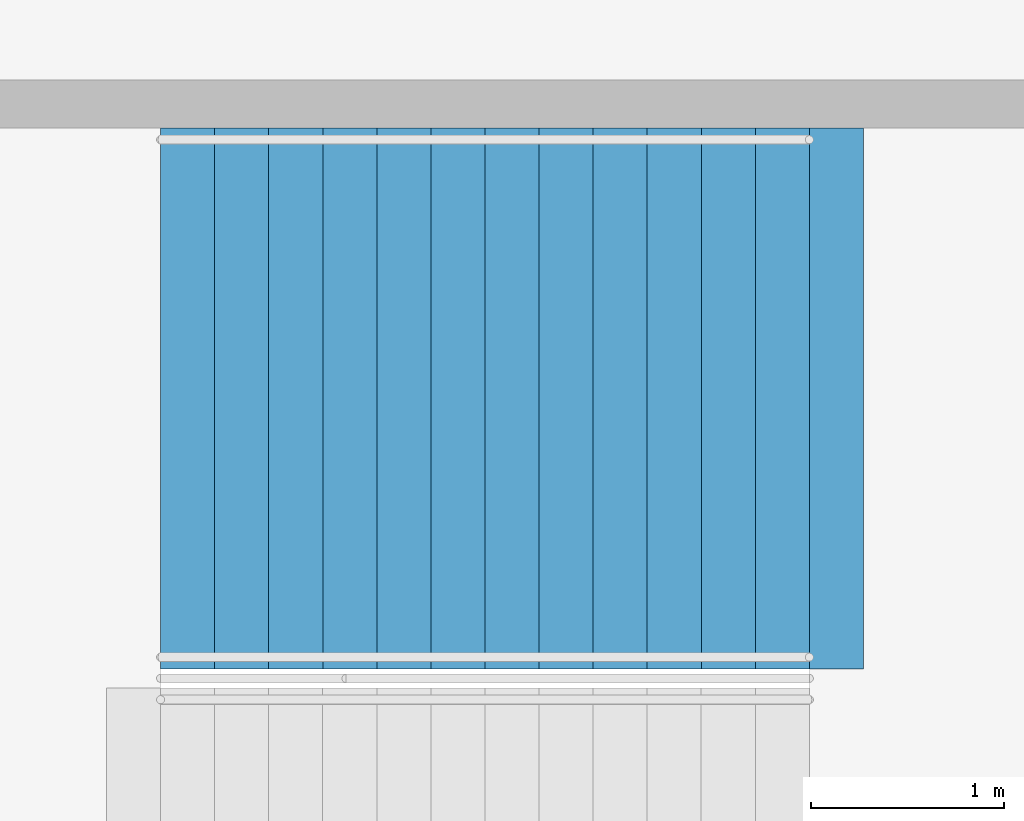
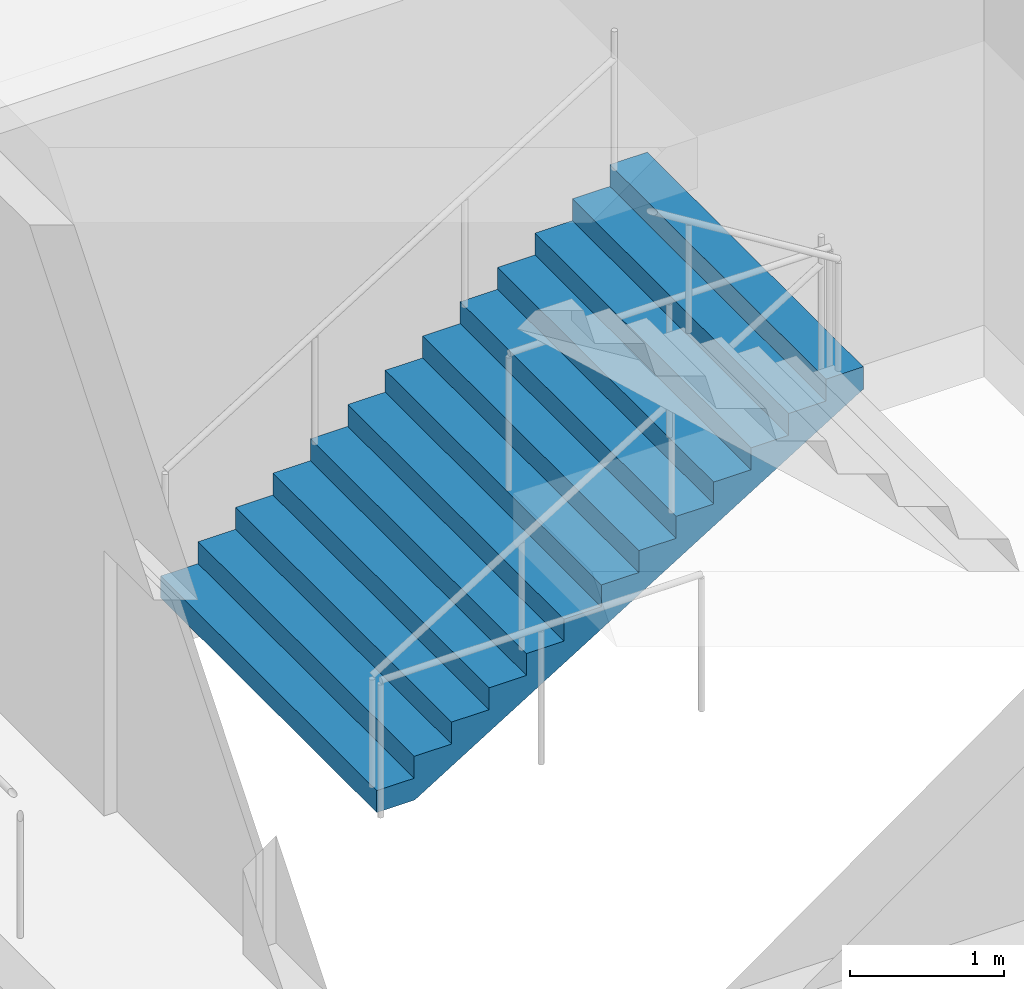
# One storey, part 126 of 177: 1 stair flight, 1 element without a shape of its own.
"""IFC4 building model written with IfcOpenShell, lengths in metres."""

import ifcopenshell
import ifcopenshell.guid

model = None  # the IFC model being written
_history = None  # IfcOwnerHistory: only IFC2X3 demands one
_inside = {}  # id of a spatial element -> (the spatial element, [elements in it])
_under = {}  # id of a project, library or spatial element -> (it, [spatial elements below it])
_declared = {}  # id of a project -> (the project, [libraries it declares])
_typed = {}  # id of a type object -> (the type object, [elements of that type])
_made_of = {}  # id of a material, layer set ... -> (it, [elements and type objects made of it])


def new_model(schema):
    """Start an empty IFC model of exactly this schema.

    Asked for "IFC4X3", IfcOpenShell would pick the latest addendum, in which some entities
    have other attributes; the version numbers below select the first issue.
    IFC2X3 requires an IfcOwnerHistory on every rooted entity: one is made here for all.
    """
    global model, _history
    if schema == "IFC4X3":
        model = ifcopenshell.file(schema_version=(4, 3, 0, 0))
    else:
        model = ifcopenshell.file(schema=schema)
    _inside.clear()
    _under.clear()
    _declared.clear()
    _typed.clear()
    _made_of.clear()
    _history = None
    if model.schema == "IFC2X3":
        org = make("IfcOrganization", Name="unknown")
        user = make(
            "IfcPersonAndOrganization",
            ThePerson=make("IfcPerson", FamilyName="unknown"),
            TheOrganization=org,
        )
        app = make(
            "IfcApplication",
            ApplicationDeveloper=org,
            Version="unknown",
            ApplicationFullName="unknown",
            ApplicationIdentifier="unknown",
        )
        _history = make(
            "IfcOwnerHistory",
            OwningUser=user,
            OwningApplication=app,
            ChangeAction="ADDED",
            CreationDate=0,
        )
    return model


def make(cls, **values):
    """One entity of the class cls with the attributes given. An attribute that is None is left unset."""
    return model.create_entity(
        cls, **{name: value for name, value in values.items() if value is not None}
    )


def rooted(cls, **values):
    """An entity with a GlobalId (a new one), such as an element, a storey or a relation."""
    return make(cls, GlobalId=ifcopenshell.guid.new(), OwnerHistory=_history, **values)


def si_unit(unit_type, name, prefix=None):
    """IfcSIUnit, for example si_unit("LENGTHUNIT", "METRE", prefix="MILLI")."""
    return make("IfcSIUnit", UnitType=unit_type, Prefix=prefix, Name=name)


def assignment(units):
    """IfcUnitAssignment: the units of a project."""
    return None if units is None else make("IfcUnitAssignment", Units=units)


def point(xyz):
    """IfcCartesianPoint."""
    return None if xyz is None else make("IfcCartesianPoint", Coordinates=xyz)


def direction(xyz):
    """IfcDirection."""
    return None if xyz is None else make("IfcDirection", DirectionRatios=xyz)


def frame(location, z_axis=None, x_axis=None):
    """IfcAxis2Placement3D, a coordinate frame: its origin and axes. An axis left out is left unset."""
    return make(
        "IfcAxis2Placement3D",
        Location=point(location),
        Axis=direction(z_axis),
        RefDirection=direction(x_axis),
    )


def origin():
    """The frame at (0, 0, 0) with its axes left unset."""
    return frame((0.0, 0.0, 0.0))


def place(relative_to, where):
    """IfcLocalPlacement: puts the frame where relative to a parent placement (None: the world)."""
    return make(
        "IfcLocalPlacement", PlacementRelTo=relative_to, RelativePlacement=where
    )


def context(
    kind, dimensions, precision=None, world=None, true_north=None, identifier=None
):
    """IfcGeometricRepresentationContext, for example the 3D "Model" context."""
    return make(
        "IfcGeometricRepresentationContext",
        ContextIdentifier=identifier,
        ContextType=kind,
        CoordinateSpaceDimension=dimensions,
        Precision=precision,
        WorldCoordinateSystem=world,
        TrueNorth=true_north,
    )


def subcontext(parent, identifier, kind, view, scale=None):
    """IfcGeometricRepresentationSubContext, for example "Body" below "Model"."""
    return make(
        "IfcGeometricRepresentationSubContext",
        ContextIdentifier=identifier,
        ContextType=kind,
        ParentContext=parent,
        TargetScale=scale,
        TargetView=view,
    )


def project(units=None, contexts=None):
    """IfcProject with its units and contexts."""
    return rooted(
        "IfcProject",
        Name="project",
        RepresentationContexts=contexts,
        UnitsInContext=assignment(units),
    )


def spatial(cls, under=None, at=None, **own):
    """A site, building, storey or space (cls), placed at a placement, below another one or the project."""
    s = rooted(cls, ObjectPlacement=at, **own)
    if under is not None:
        _under.setdefault(under.id(), (under, []))[1].append(s)
    return s


def faces_of(points, faces, orient=None, outer=None):
    """IfcFace entities. A face is a list of loops; a loop is a list of indices into points, from 0.

    orient and outer hold one flag for each loop. By default every Orientation is true, the
    first loop of a face is its IfcFaceOuterBound and the others are IfcFaceBound.
    """
    made = []
    for i, loops in enumerate(faces):
        bounds = []
        for j, loop in enumerate(loops):
            is_outer = j == 0 if outer is None else outer[i][j]
            bounds.append(
                make(
                    "IfcFaceOuterBound" if is_outer else "IfcFaceBound",
                    Bound=make("IfcPolyLoop", Polygon=[points[k] for k in loop]),
                    Orientation=True if orient is None else orient[i][j],
                )
            )
        made.append(make("IfcFace", Bounds=bounds))
    return made


def faceted_brep(points, faces, orient=None, outer=None, voids=None):
    """IfcFacetedBrep: a solid bounded by flat faces; with voids (closed shells), ...WithVoids."""
    shared = [point(p) for p in points]
    hull = make("IfcClosedShell", CfsFaces=faces_of(shared, faces, orient, outer))
    if voids is None:
        return make("IfcFacetedBrep", Outer=hull)
    return make(
        "IfcFacetedBrepWithVoids",
        Outer=hull,
        Voids=[
            make(cls, CfsFaces=faces_of(shared, fs, o, b)) for cls, fs, o, b in voids
        ],
    )


def shape(context_of_items, identifier, shape_type, items):
    """IfcShapeRepresentation: the items that make up one representation, for example the "Body"."""
    return make(
        "IfcShapeRepresentation",
        ContextOfItems=context_of_items,
        RepresentationIdentifier=identifier,
        RepresentationType=shape_type,
        Items=items,
    )


def material(Name=None, Category=None):
    """IfcMaterial."""
    return make("IfcMaterial", Name=Name, Category=Category)


def made_of(thing, what):
    """Note that an element or type object is made of a material, layer set ...; save() writes the relation."""
    if what is not None:
        _made_of.setdefault(what.id(), (what, []))[1].append(thing)
    return thing


def type_object(cls, material=None, **own):
    """A type object (cls), such as IfcWallType, which elements share."""
    return made_of(rooted(cls, **own), material)


def element(
    cls,
    number,
    at=None,
    inside=None,
    cuts=None,
    type_object=None,
    material=None,
    context=None,
    identifier="Body",
    shape_type=None,
    held_by="IfcProductDefinitionShape",
    body=None,
    shapes=None,
    **own,
):
    """One element of the class cls, such as IfcWall. Its Tag is "e" and its number.

    at: its placement. inside: the storey or other place that contains it. cuts: it is an
    opening in that element (IfcRelVoidsElement). A single representation is given by context,
    identifier, shape_type and body (its items); several are given by shapes. held_by: the class
    of the entity that holds the representations. save() writes the other relations.
    """
    e = rooted(cls, Tag="e%d" % number, ObjectPlacement=at, **own)
    if body is not None:
        shapes = [shape(context, identifier, shape_type, body)]
    if shapes is not None:
        e.Representation = make(held_by, Representations=shapes)
    if inside is not None:
        _inside.setdefault(inside.id(), (inside, []))[1].append(e)
    if cuts is not None:
        rooted(
            "IfcRelVoidsElement", RelatingBuildingElement=cuts, RelatedOpeningElement=e
        )
    if type_object is not None:
        _typed.setdefault(type_object.id(), (type_object, []))[1].append(e)
    return made_of(e, material)


def aggregate(whole, parts):
    """IfcRelAggregates: a whole, such as a stair, and the parts it consists of."""
    return rooted("IfcRelAggregates", RelatingObject=whole, RelatedObjects=parts)


def save(model, path):
    """Write the relations noted so far, then the file.

    IfcRelAggregates (storeys below a building ...), IfcRelContainedInSpatialStructure (elements
    in a storey), IfcRelDefinesByType, IfcRelAssociatesMaterial and IfcRelDeclares: one each for
    every whole, place, type object, material and project.
    """
    for whole, parts in _under.values():
        aggregate(whole, parts)
    for where, things in _inside.values():
        rooted(
            "IfcRelContainedInSpatialStructure",
            RelatedElements=things,
            RelatingStructure=where,
        )
    for kind, things in _typed.values():
        rooted("IfcRelDefinesByType", RelatedObjects=things, RelatingType=kind)
    for what, things in _made_of.values():
        rooted("IfcRelAssociatesMaterial", RelatedObjects=things, RelatingMaterial=what)
    for by, libraries in _declared.values():
        rooted("IfcRelDeclares", RelatingContext=by, RelatedDefinitions=libraries)
    model.write(path)


model = new_model("IFC4")

# Units and contexts
model_context = context("Model", 3, precision=1e-05, world=origin(), true_north=direction((0.0, 1.0)))
body_context = subcontext(model_context, "Body", "Model", "MODEL_VIEW")
ifc_project = project(units=[si_unit("LENGTHUNIT", "METRE"), si_unit("AREAUNIT", "SQUARE_METRE"), si_unit("VOLUMEUNIT", "CUBIC_METRE"), si_unit("PLANEANGLEUNIT", "RADIAN"), si_unit("MASSUNIT", "GRAM", prefix="KILO")], contexts=[model_context])

# Site, building, storey
site_placement = place(None, origin())
site = spatial("IfcSite", under=ifc_project, at=site_placement, CompositionType="ELEMENT")
building_placement = place(site_placement, origin())
building = spatial("IfcBuilding", under=site, at=building_placement, Name="Ogive Plaza Stadium", CompositionType="ELEMENT")
storey_placement = place(building_placement, frame((0.0, 0.0, 18.0)))
storey = spatial("IfcBuildingStorey", under=building, at=storey_placement, Name="L04", CompositionType="ELEMENT", Elevation=18.0)

# Stair, stair flight
ifc_material_1 = material(Name="Concrete C40/50", Category="concrete")
stair_type = type_object("IfcStairType", Name="Exit stair", PredefinedType="STRAIGHT_RUN_STAIR", material=ifc_material_1)
stair_placement = place(storey_placement, origin())
stair = element("IfcStair", 1, at=stair_placement, inside=storey, type_object=stair_type, Name="Exit stair ST06B L04 to L05", PredefinedType="STRAIGHT_RUN_STAIR")
ifc_material_2 = material(Name="Concrete C40/50", Category="concrete")
stair_flight_type = type_object("IfcStairFlightType", Name="Exit stair flight", PredefinedType="STRAIGHT", material=ifc_material_2)
stair_flight_placement = place(storey_placement, frame((76.35009765625, -18.074951171875, 0.0), z_axis=(0.0, 0.0, 1.0), x_axis=(1.0, 0.0, 0.0)))
stair_flight = element("IfcStairFlight", 2, at=stair_flight_placement, type_object=stair_flight_type, Name="ST06B flight 1", NumberOfRisers=13, NumberOfTreads=12, PredefinedType="STRAIGHT", RiserHeight=0.173076923, TreadLength=0.28, context=body_context, shape_type="Brep", body=[
    faceted_brep([(0.28515625, -1.39990234375, 0.0), (3.639892578125, -1.39990234375, 2.07373046875), (3.639892578125, -1.39990234375, 2.25), (3.360107421875, -1.39990234375, 2.25), (3.360107421875, -1.39990234375, 2.076904296875), (3.080078125, -1.39990234375, 2.076904296875), (3.080078125, -1.39990234375, 1.90380859375), (2.800048828125, -1.39990234375, 1.90380859375), (2.800048828125, -1.39990234375, 1.730712890625), (2.52001953125, -1.39990234375, 1.730712890625), (2.52001953125, -1.39990234375, 1.5576171875), (2.239990234375, -1.39990234375, 1.5576171875), (2.239990234375, -1.39990234375, 1.384521484375), (1.9599609375, -1.39990234375, 1.384521484375), (1.9599609375, -1.39990234375, 1.21142578125), (1.679931640625, -1.39990234375, 1.21142578125), (1.679931640625, -1.39990234375, 1.03857421875), (1.39990234375, -1.39990234375, 1.03857421875), (1.39990234375, -1.39990234375, 0.865478515625), (1.1201171875, -1.39990234375, 0.865478515625), (1.1201171875, -1.39990234375, 0.6923828125), (0.840087890625, -1.39990234375, 0.6923828125), (0.840087890625, -1.39990234375, 0.519287109375), (0.56005859375, -1.39990234375, 0.519287109375), (0.56005859375, -1.39990234375, 0.34619140625), (0.280029296875, -1.39990234375, 0.34619140625), (0.280029296875, -1.39990234375, 0.173095703125), (0.0, -1.39990234375, 0.173095703125), (0.0, -1.39990234375, 0.0), (0.0, 1.39990234375, 0.0), (0.0, 1.39990234375, 0.173095703125), (0.280029296875, 1.39990234375, 0.173095703125), (0.280029296875, 1.39990234375, 0.34619140625), (0.56005859375, 1.39990234375, 0.34619140625), (0.56005859375, 1.39990234375, 0.519287109375), (0.840087890625, 1.39990234375, 0.519287109375), (0.840087890625, 1.39990234375, 0.6923828125), (1.1201171875, 1.39990234375, 0.6923828125), (1.1201171875, 1.39990234375, 0.865478515625), (1.39990234375, 1.39990234375, 0.865478515625), (1.39990234375, 1.39990234375, 1.03857421875), (1.679931640625, 1.39990234375, 1.03857421875), (1.679931640625, 1.39990234375, 1.21142578125), (1.9599609375, 1.39990234375, 1.21142578125), (1.9599609375, 1.39990234375, 1.384521484375), (2.239990234375, 1.39990234375, 1.384521484375), (2.239990234375, 1.39990234375, 1.5576171875), (2.52001953125, 1.39990234375, 1.5576171875), (2.52001953125, 1.39990234375, 1.730712890625), (2.800048828125, 1.39990234375, 1.730712890625), (2.800048828125, 1.39990234375, 1.90380859375), (3.080078125, 1.39990234375, 1.90380859375), (3.080078125, 1.39990234375, 2.076904296875), (3.360107421875, 1.39990234375, 2.076904296875), (3.360107421875, 1.39990234375, 2.25), (3.639892578125, 1.39990234375, 2.25), (3.639892578125, 1.39990234375, 2.07373046875), (0.28515625, 1.39990234375, 0.0), (0.28515625, -1.0888671875, 0.0), (3.639892578125, -1.0888671875, 2.07373046875), (0.28515625, -0.77783203125, 0.0), (3.639892578125, -0.77783203125, 2.07373046875), (0.28515625, -0.466796875, 0.0), (3.639892578125, -0.466796875, 2.07373046875), (0.28515625, -0.155517578125, 0.0), (3.639892578125, -0.155517578125, 2.07373046875), (0.28515625, 0.155517578125, 0.0), (3.639892578125, 0.155517578125, 2.07373046875), (0.28515625, 0.466796875, 0.0), (3.639892578125, 0.466796875, 2.07373046875), (0.28515625, 0.77783203125, 0.0), (3.639892578125, 0.77783203125, 2.07373046875), (0.28515625, 1.0888671875, 0.0), (3.639892578125, 1.0888671875, 2.07373046875), (3.639892578125, -1.0888671875, 2.25), (3.639892578125, -0.77783203125, 2.25), (3.639892578125, -0.466796875, 2.25), (3.639892578125, -0.155517578125, 2.25), (3.639892578125, 0.155517578125, 2.25), (3.639892578125, 0.466796875, 2.25), (3.639892578125, 0.77783203125, 2.25), (3.639892578125, 1.0888671875, 2.25), (3.360107421875, -1.0888671875, 2.25), (3.360107421875, -0.77783203125, 2.25), (3.360107421875, -0.466796875, 2.25), (3.360107421875, -0.155517578125, 2.25), (3.360107421875, 0.155517578125, 2.25), (3.360107421875, 0.466796875, 2.25), (3.360107421875, 0.77783203125, 2.25), (3.360107421875, 1.0888671875, 2.25), (3.360107421875, -1.0888671875, 2.076904296875), (3.360107421875, -0.77783203125, 2.076904296875), (3.360107421875, -0.466796875, 2.076904296875), (3.360107421875, -0.155517578125, 2.076904296875), (3.360107421875, 0.155517578125, 2.076904296875), (3.360107421875, 0.466796875, 2.076904296875), (3.360107421875, 0.77783203125, 2.076904296875), (3.360107421875, 1.0888671875, 2.076904296875), (3.080078125, -1.0888671875, 2.076904296875), (3.080078125, -0.77783203125, 2.076904296875), (3.080078125, -0.466796875, 2.076904296875), (3.080078125, -0.155517578125, 2.076904296875), (3.080078125, 0.155517578125, 2.076904296875), (3.080078125, 0.466796875, 2.076904296875), (3.080078125, 0.77783203125, 2.076904296875), (3.080078125, 1.0888671875, 2.076904296875), (3.080078125, -1.0888671875, 1.90380859375), (3.080078125, -0.77783203125, 1.90380859375), (3.080078125, -0.466796875, 1.90380859375), (3.080078125, -0.155517578125, 1.90380859375), (3.080078125, 0.155517578125, 1.90380859375), (3.080078125, 0.466796875, 1.90380859375), (3.080078125, 0.77783203125, 1.90380859375), (3.080078125, 1.0888671875, 1.90380859375), (2.800048828125, -1.0888671875, 1.90380859375), (2.800048828125, -0.77783203125, 1.90380859375), (2.800048828125, -0.466796875, 1.90380859375), (2.800048828125, -0.155517578125, 1.90380859375), (2.800048828125, 0.155517578125, 1.90380859375), (2.800048828125, 0.466796875, 1.90380859375), (2.800048828125, 0.77783203125, 1.90380859375), (2.800048828125, 1.0888671875, 1.90380859375), (2.800048828125, -1.0888671875, 1.730712890625), (2.800048828125, -0.77783203125, 1.730712890625), (2.800048828125, -0.466796875, 1.730712890625), (2.800048828125, -0.155517578125, 1.730712890625), (2.800048828125, 0.155517578125, 1.730712890625), (2.800048828125, 0.466796875, 1.730712890625), (2.800048828125, 0.77783203125, 1.730712890625), (2.800048828125, 1.0888671875, 1.730712890625), (2.52001953125, -1.0888671875, 1.730712890625), (2.52001953125, -0.77783203125, 1.730712890625), (2.52001953125, -0.466796875, 1.730712890625), (2.52001953125, -0.155517578125, 1.730712890625), (2.52001953125, 0.155517578125, 1.730712890625), (2.52001953125, 0.466796875, 1.730712890625), (2.52001953125, 0.77783203125, 1.730712890625), (2.52001953125, 1.0888671875, 1.730712890625), (2.52001953125, -1.0888671875, 1.5576171875), (2.52001953125, -0.77783203125, 1.5576171875), (2.52001953125, -0.466796875, 1.5576171875), (2.52001953125, -0.155517578125, 1.5576171875), (2.52001953125, 0.155517578125, 1.5576171875), (2.52001953125, 0.466796875, 1.5576171875), (2.52001953125, 0.77783203125, 1.5576171875), (2.52001953125, 1.0888671875, 1.5576171875), (2.239990234375, -1.0888671875, 1.5576171875), (2.239990234375, -0.77783203125, 1.5576171875), (2.239990234375, -0.466796875, 1.5576171875), (2.239990234375, -0.155517578125, 1.5576171875), (2.239990234375, 0.155517578125, 1.5576171875), (2.239990234375, 0.466796875, 1.5576171875), (2.239990234375, 0.77783203125, 1.5576171875), (2.239990234375, 1.0888671875, 1.5576171875), (2.239990234375, -1.0888671875, 1.384521484375), (2.239990234375, -0.77783203125, 1.384521484375), (2.239990234375, -0.466796875, 1.384521484375), (2.239990234375, -0.155517578125, 1.384521484375), (2.239990234375, 0.155517578125, 1.384521484375), (2.239990234375, 0.466796875, 1.384521484375), (2.239990234375, 0.77783203125, 1.384521484375), (2.239990234375, 1.0888671875, 1.384521484375), (1.9599609375, -1.0888671875, 1.384521484375), (1.9599609375, -0.77783203125, 1.384521484375), (1.9599609375, -0.466796875, 1.384521484375), (1.9599609375, -0.155517578125, 1.384521484375), (1.9599609375, 0.155517578125, 1.384521484375), (1.9599609375, 0.466796875, 1.384521484375), (1.9599609375, 0.77783203125, 1.384521484375), (1.9599609375, 1.0888671875, 1.384521484375), (1.9599609375, -1.0888671875, 1.21142578125), (1.9599609375, -0.77783203125, 1.21142578125), (1.9599609375, -0.466796875, 1.21142578125), (1.9599609375, -0.155517578125, 1.21142578125), (1.9599609375, 0.155517578125, 1.21142578125), (1.9599609375, 0.466796875, 1.21142578125), (1.9599609375, 0.77783203125, 1.21142578125), (1.9599609375, 1.0888671875, 1.21142578125), (1.679931640625, -1.0888671875, 1.21142578125), (1.679931640625, -0.77783203125, 1.21142578125), (1.679931640625, -0.466796875, 1.21142578125), (1.679931640625, -0.155517578125, 1.21142578125), (1.679931640625, 0.155517578125, 1.21142578125), (1.679931640625, 0.466796875, 1.21142578125), (1.679931640625, 0.77783203125, 1.21142578125), (1.679931640625, 1.0888671875, 1.21142578125), (1.679931640625, -1.0888671875, 1.03857421875), (1.679931640625, -0.77783203125, 1.03857421875), (1.679931640625, -0.466796875, 1.03857421875), (1.679931640625, -0.155517578125, 1.03857421875), (1.679931640625, 0.155517578125, 1.03857421875), (1.679931640625, 0.466796875, 1.03857421875), (1.679931640625, 0.77783203125, 1.03857421875), (1.679931640625, 1.0888671875, 1.03857421875), (1.39990234375, -1.0888671875, 1.03857421875), (1.39990234375, -0.77783203125, 1.03857421875), (1.39990234375, -0.466796875, 1.03857421875), (1.39990234375, -0.155517578125, 1.03857421875), (1.39990234375, 0.155517578125, 1.03857421875), (1.39990234375, 0.466796875, 1.03857421875), (1.39990234375, 0.77783203125, 1.03857421875), (1.39990234375, 1.0888671875, 1.03857421875), (1.39990234375, -1.0888671875, 0.865478515625), (1.39990234375, -0.77783203125, 0.865478515625), (1.39990234375, -0.466796875, 0.865478515625), (1.39990234375, -0.155517578125, 0.865478515625), (1.39990234375, 0.155517578125, 0.865478515625), (1.39990234375, 0.466796875, 0.865478515625), (1.39990234375, 0.77783203125, 0.865478515625), (1.39990234375, 1.0888671875, 0.865478515625), (1.1201171875, -1.0888671875, 0.865478515625), (1.1201171875, -0.77783203125, 0.865478515625), (1.1201171875, -0.466796875, 0.865478515625), (1.1201171875, -0.155517578125, 0.865478515625), (1.1201171875, 0.155517578125, 0.865478515625), (1.1201171875, 0.466796875, 0.865478515625), (1.1201171875, 0.77783203125, 0.865478515625), (1.1201171875, 1.0888671875, 0.865478515625), (1.1201171875, -1.0888671875, 0.6923828125), (1.1201171875, -0.77783203125, 0.6923828125), (1.1201171875, -0.466796875, 0.6923828125), (1.1201171875, -0.155517578125, 0.6923828125), (1.1201171875, 0.155517578125, 0.6923828125), (1.1201171875, 0.466796875, 0.6923828125), (1.1201171875, 0.77783203125, 0.6923828125), (1.1201171875, 1.0888671875, 0.6923828125), (0.840087890625, -1.0888671875, 0.6923828125), (0.840087890625, -0.77783203125, 0.6923828125), (0.840087890625, -0.466796875, 0.6923828125), (0.840087890625, -0.155517578125, 0.6923828125), (0.840087890625, 0.155517578125, 0.6923828125), (0.840087890625, 0.466796875, 0.6923828125), (0.840087890625, 0.77783203125, 0.6923828125), (0.840087890625, 1.0888671875, 0.6923828125), (0.840087890625, -1.0888671875, 0.519287109375), (0.840087890625, -0.77783203125, 0.519287109375), (0.840087890625, -0.466796875, 0.519287109375), (0.840087890625, -0.155517578125, 0.519287109375), (0.840087890625, 0.155517578125, 0.519287109375), (0.840087890625, 0.466796875, 0.519287109375), (0.840087890625, 0.77783203125, 0.519287109375), (0.840087890625, 1.0888671875, 0.519287109375), (0.56005859375, -1.0888671875, 0.519287109375), (0.56005859375, -0.77783203125, 0.519287109375), (0.56005859375, -0.466796875, 0.519287109375), (0.56005859375, -0.155517578125, 0.519287109375), (0.56005859375, 0.155517578125, 0.519287109375), (0.56005859375, 0.466796875, 0.519287109375), (0.56005859375, 0.77783203125, 0.519287109375), (0.56005859375, 1.0888671875, 0.519287109375), (0.56005859375, -1.0888671875, 0.34619140625), (0.56005859375, -0.77783203125, 0.34619140625), (0.56005859375, -0.466796875, 0.34619140625), (0.56005859375, -0.155517578125, 0.34619140625), (0.56005859375, 0.155517578125, 0.34619140625), (0.56005859375, 0.466796875, 0.34619140625), (0.56005859375, 0.77783203125, 0.34619140625), (0.56005859375, 1.0888671875, 0.34619140625), (0.280029296875, -1.0888671875, 0.34619140625), (0.280029296875, -0.77783203125, 0.34619140625), (0.280029296875, -0.466796875, 0.34619140625), (0.280029296875, -0.155517578125, 0.34619140625), (0.280029296875, 0.155517578125, 0.34619140625), (0.280029296875, 0.466796875, 0.34619140625), (0.280029296875, 0.77783203125, 0.34619140625), (0.280029296875, 1.0888671875, 0.34619140625), (0.280029296875, -1.0888671875, 0.173095703125), (0.280029296875, -0.77783203125, 0.173095703125), (0.280029296875, -0.466796875, 0.173095703125), (0.280029296875, -0.155517578125, 0.173095703125), (0.280029296875, 0.155517578125, 0.173095703125), (0.280029296875, 0.466796875, 0.173095703125), (0.280029296875, 0.77783203125, 0.173095703125), (0.280029296875, 1.0888671875, 0.173095703125), (0.0, -1.0888671875, 0.173095703125), (0.0, -0.77783203125, 0.173095703125), (0.0, -0.466796875, 0.173095703125), (0.0, -0.155517578125, 0.173095703125), (0.0, 0.155517578125, 0.173095703125), (0.0, 0.466796875, 0.173095703125), (0.0, 0.77783203125, 0.173095703125), (0.0, 1.0888671875, 0.173095703125), (0.0, -1.0888671875, 0.0), (0.0, -0.77783203125, 0.0), (0.0, -0.466796875, 0.0), (0.0, -0.155517578125, 0.0), (0.0, 0.155517578125, 0.0), (0.0, 0.466796875, 0.0), (0.0, 0.77783203125, 0.0), (0.0, 1.0888671875, 0.0)], [[[0, 1, 2, 3, 4, 5, 6, 7, 8, 9, 10, 11, 12, 13, 14, 15, 16, 17, 18, 19, 20, 21, 22, 23, 24, 25, 26, 27, 28]], [[29, 30, 31, 32, 33, 34, 35, 36, 37, 38, 39, 40, 41, 42, 43, 44, 45, 46, 47, 48, 49, 50, 51, 52, 53, 54, 55, 56, 57]], [[0, 58, 59, 1]], [[58, 60, 61, 59]], [[60, 62, 63, 61]], [[62, 64, 65, 63]], [[64, 66, 67, 65]], [[66, 68, 69, 67]], [[68, 70, 71, 69]], [[70, 72, 73, 71]], [[72, 57, 56, 73]], [[1, 59, 74, 2]], [[59, 61, 75, 74]], [[61, 63, 76, 75]], [[63, 65, 77, 76]], [[65, 67, 78, 77]], [[67, 69, 79, 78]], [[69, 71, 80, 79]], [[71, 73, 81, 80]], [[73, 56, 55, 81]], [[2, 74, 82, 3]], [[74, 75, 83, 82]], [[75, 76, 84, 83]], [[76, 77, 85, 84]], [[77, 78, 86, 85]], [[78, 79, 87, 86]], [[79, 80, 88, 87]], [[80, 81, 89, 88]], [[81, 55, 54, 89]], [[3, 82, 90, 4]], [[82, 83, 91, 90]], [[83, 84, 92, 91]], [[84, 85, 93, 92]], [[85, 86, 94, 93]], [[86, 87, 95, 94]], [[87, 88, 96, 95]], [[88, 89, 97, 96]], [[89, 54, 53, 97]], [[4, 90, 98, 5]], [[90, 91, 99, 98]], [[91, 92, 100, 99]], [[92, 93, 101, 100]], [[93, 94, 102, 101]], [[94, 95, 103, 102]], [[95, 96, 104, 103]], [[96, 97, 105, 104]], [[97, 53, 52, 105]], [[5, 98, 106, 6]], [[98, 99, 107, 106]], [[99, 100, 108, 107]], [[100, 101, 109, 108]], [[101, 102, 110, 109]], [[102, 103, 111, 110]], [[103, 104, 112, 111]], [[104, 105, 113, 112]], [[105, 52, 51, 113]], [[6, 106, 114, 7]], [[106, 107, 115, 114]], [[107, 108, 116, 115]], [[108, 109, 117, 116]], [[109, 110, 118, 117]], [[110, 111, 119, 118]], [[111, 112, 120, 119]], [[112, 113, 121, 120]], [[113, 51, 50, 121]], [[7, 114, 122, 8]], [[114, 115, 123, 122]], [[115, 116, 124, 123]], [[116, 117, 125, 124]], [[117, 118, 126, 125]], [[118, 119, 127, 126]], [[119, 120, 128, 127]], [[120, 121, 129, 128]], [[121, 50, 49, 129]], [[8, 122, 130, 9]], [[122, 123, 131, 130]], [[123, 124, 132, 131]], [[124, 125, 133, 132]], [[125, 126, 134, 133]], [[126, 127, 135, 134]], [[127, 128, 136, 135]], [[128, 129, 137, 136]], [[129, 49, 48, 137]], [[9, 130, 138, 10]], [[130, 131, 139, 138]], [[131, 132, 140, 139]], [[132, 133, 141, 140]], [[133, 134, 142, 141]], [[134, 135, 143, 142]], [[135, 136, 144, 143]], [[136, 137, 145, 144]], [[137, 48, 47, 145]], [[10, 138, 146, 11]], [[138, 139, 147, 146]], [[139, 140, 148, 147]], [[140, 141, 149, 148]], [[141, 142, 150, 149]], [[142, 143, 151, 150]], [[143, 144, 152, 151]], [[144, 145, 153, 152]], [[145, 47, 46, 153]], [[11, 146, 154, 12]], [[146, 147, 155, 154]], [[147, 148, 156, 155]], [[148, 149, 157, 156]], [[149, 150, 158, 157]], [[150, 151, 159, 158]], [[151, 152, 160, 159]], [[152, 153, 161, 160]], [[153, 46, 45, 161]], [[12, 154, 162, 13]], [[154, 155, 163, 162]], [[155, 156, 164, 163]], [[156, 157, 165, 164]], [[157, 158, 166, 165]], [[158, 159, 167, 166]], [[159, 160, 168, 167]], [[160, 161, 169, 168]], [[161, 45, 44, 169]], [[13, 162, 170, 14]], [[162, 163, 171, 170]], [[163, 164, 172, 171]], [[164, 165, 173, 172]], [[165, 166, 174, 173]], [[166, 167, 175, 174]], [[167, 168, 176, 175]], [[168, 169, 177, 176]], [[169, 44, 43, 177]], [[14, 170, 178, 15]], [[170, 171, 179, 178]], [[171, 172, 180, 179]], [[172, 173, 181, 180]], [[173, 174, 182, 181]], [[174, 175, 183, 182]], [[175, 176, 184, 183]], [[176, 177, 185, 184]], [[177, 43, 42, 185]], [[15, 178, 186, 16]], [[178, 179, 187, 186]], [[179, 180, 188, 187]], [[180, 181, 189, 188]], [[181, 182, 190, 189]], [[182, 183, 191, 190]], [[183, 184, 192, 191]], [[184, 185, 193, 192]], [[185, 42, 41, 193]], [[16, 186, 194, 17]], [[186, 187, 195, 194]], [[187, 188, 196, 195]], [[188, 189, 197, 196]], [[189, 190, 198, 197]], [[190, 191, 199, 198]], [[191, 192, 200, 199]], [[192, 193, 201, 200]], [[193, 41, 40, 201]], [[17, 194, 202, 18]], [[194, 195, 203, 202]], [[195, 196, 204, 203]], [[196, 197, 205, 204]], [[197, 198, 206, 205]], [[198, 199, 207, 206]], [[199, 200, 208, 207]], [[200, 201, 209, 208]], [[201, 40, 39, 209]], [[18, 202, 210, 19]], [[202, 203, 211, 210]], [[203, 204, 212, 211]], [[204, 205, 213, 212]], [[205, 206, 214, 213]], [[206, 207, 215, 214]], [[207, 208, 216, 215]], [[208, 209, 217, 216]], [[209, 39, 38, 217]], [[19, 210, 218, 20]], [[210, 211, 219, 218]], [[211, 212, 220, 219]], [[212, 213, 221, 220]], [[213, 214, 222, 221]], [[214, 215, 223, 222]], [[215, 216, 224, 223]], [[216, 217, 225, 224]], [[217, 38, 37, 225]], [[20, 218, 226, 21]], [[218, 219, 227, 226]], [[219, 220, 228, 227]], [[220, 221, 229, 228]], [[221, 222, 230, 229]], [[222, 223, 231, 230]], [[223, 224, 232, 231]], [[224, 225, 233, 232]], [[225, 37, 36, 233]], [[21, 226, 234, 22]], [[226, 227, 235, 234]], [[227, 228, 236, 235]], [[228, 229, 237, 236]], [[229, 230, 238, 237]], [[230, 231, 239, 238]], [[231, 232, 240, 239]], [[232, 233, 241, 240]], [[233, 36, 35, 241]], [[22, 234, 242, 23]], [[234, 235, 243, 242]], [[235, 236, 244, 243]], [[236, 237, 245, 244]], [[237, 238, 246, 245]], [[238, 239, 247, 246]], [[239, 240, 248, 247]], [[240, 241, 249, 248]], [[241, 35, 34, 249]], [[23, 242, 250, 24]], [[242, 243, 251, 250]], [[243, 244, 252, 251]], [[244, 245, 253, 252]], [[245, 246, 254, 253]], [[246, 247, 255, 254]], [[247, 248, 256, 255]], [[248, 249, 257, 256]], [[249, 34, 33, 257]], [[24, 250, 258, 25]], [[250, 251, 259, 258]], [[251, 252, 260, 259]], [[252, 253, 261, 260]], [[253, 254, 262, 261]], [[254, 255, 263, 262]], [[255, 256, 264, 263]], [[256, 257, 265, 264]], [[257, 33, 32, 265]], [[25, 258, 266, 26]], [[258, 259, 267, 266]], [[259, 260, 268, 267]], [[260, 261, 269, 268]], [[261, 262, 270, 269]], [[262, 263, 271, 270]], [[263, 264, 272, 271]], [[264, 265, 273, 272]], [[265, 32, 31, 273]], [[26, 266, 274, 27]], [[266, 267, 275, 274]], [[267, 268, 276, 275]], [[268, 269, 277, 276]], [[269, 270, 278, 277]], [[270, 271, 279, 278]], [[271, 272, 280, 279]], [[272, 273, 281, 280]], [[273, 31, 30, 281]], [[27, 274, 282, 28]], [[274, 275, 283, 282]], [[275, 276, 284, 283]], [[276, 277, 285, 284]], [[277, 278, 286, 285]], [[278, 279, 287, 286]], [[279, 280, 288, 287]], [[280, 281, 289, 288]], [[281, 30, 29, 289]], [[28, 282, 58, 0]], [[282, 283, 60, 58]], [[283, 284, 62, 60]], [[284, 285, 64, 62]], [[285, 286, 66, 64]], [[286, 287, 68, 66]], [[287, 288, 70, 68]], [[288, 289, 72, 70]], [[289, 29, 57, 72]]]),
])
aggregate(stair, [stair_flight])

save(model, "model.ifc")
